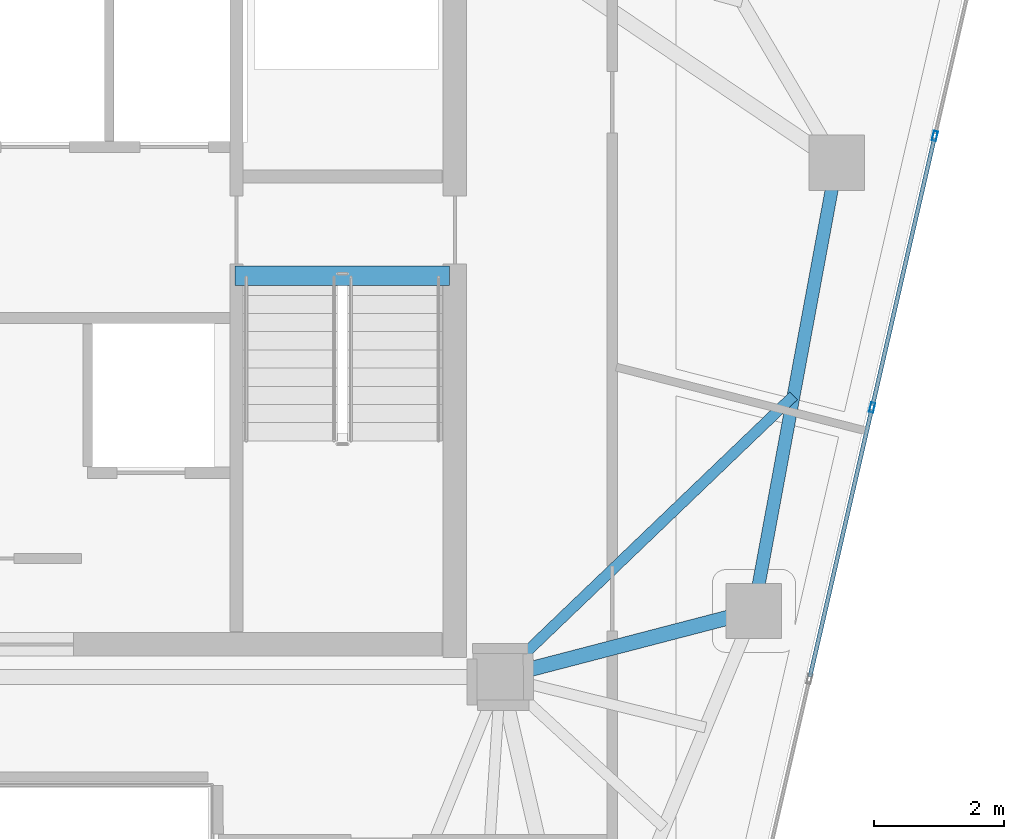
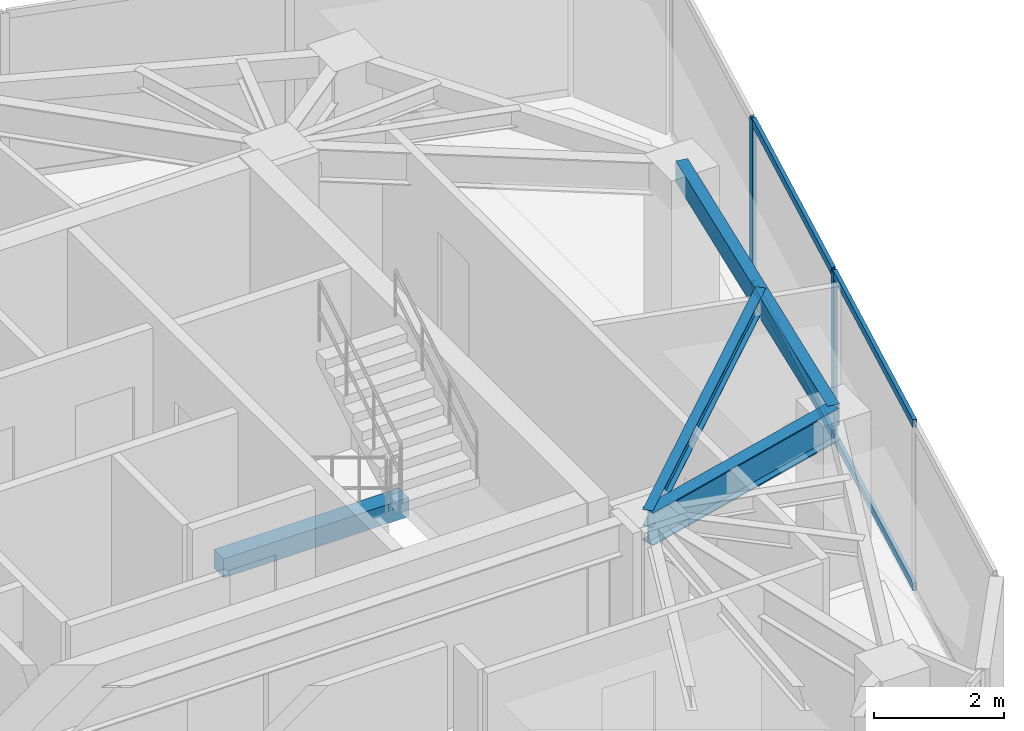
# One storey, part 12 of 20: 6 members, 4 beams, 1 element without a shape of its own.
"""IFC4 building model written with IfcOpenShell, lengths in metres."""

from ifc_helpers import new_model, si_unit, direction, frame, origin, origin_2d, place, context, subcontext, project, spatial, rectangle, hollow_rectangle, i_section, extrude, source, transform, mapped, material, layer, layer_set, material_profile, profile_set, type_object, type_shapes, element, aggregate, save


model = new_model("IFC4")

# Units and contexts
model_context = context("Model", 3, precision=1e-05, world=origin(), true_north=direction((0.0, 1.0)))
body_context = subcontext(model_context, "Body", "Model", "MODEL_VIEW")
ifc_project = project(units=[si_unit("LENGTHUNIT", "METRE"), si_unit("AREAUNIT", "SQUARE_METRE"), si_unit("VOLUMEUNIT", "CUBIC_METRE"), si_unit("PLANEANGLEUNIT", "RADIAN"), si_unit("MASSUNIT", "GRAM", prefix="KILO")], contexts=[model_context])

# Site, building, storey
site_placement = place(None, origin())
site = spatial("IfcSite", under=ifc_project, at=site_placement, CompositionType="ELEMENT")
building_placement = place(site_placement, origin())
building = spatial("IfcBuilding", under=site, at=building_placement, Name="Talar Marvaseh", CompositionType="ELEMENT")
storey_placement = place(building_placement, frame((0.0, 0.0, 247.60009765625)))
storey = spatial("IfcBuildingStorey", under=building, at=storey_placement, Name="L65", CompositionType="ELEMENT", Elevation=247.60009765625)

# Beams
ifc_material_1 = material(Name="Concrete C40/50", Category="concrete")
ifc_material_profile_1 = material_profile(ifc_material_1, rectangle(XDim=0.300048828125, YDim=0.360107421875, at=origin_2d()), Name="RC300x360")
ifc_profile_set_1 = profile_set([ifc_material_profile_1], Name="Concrete C40/50")
beam_type_1 = type_object("IfcBeamType", Name="Concrete Stair Landing Trimmer Beam RC300x360", PredefinedType="SPANDREL", material=ifc_profile_set_1)
beam_1_placement = place(storey_placement, frame((29.219970703125, 31.669921875, -0.18017578125), z_axis=(1.0, 0.0, 0.0), x_axis=(0.0, 1.0, 0.0)))
element("IfcBeam", 1, at=beam_1_placement, inside=storey, type_object=beam_type_1, Name="L65 ST-2 Stair Nosing Trimmer Beam", PredefinedType="SPANDREL", context=body_context, shape_type="SweptSolid", body=[
    extrude(rectangle(XDim=0.300048828125, YDim=0.360107421875, at=origin_2d()), origin(), (0.0, 0.0, 1.0), 3.300048828125),
])
ifc_material_2 = material(Name="Steel S355", Category="steel")
ifc_material_profile_2 = material_profile(ifc_material_2, hollow_rectangle(XDim=0.199951171875, YDim=0.39990234375, WallThickness=0.013916015625, at=origin_2d()), Name="RHS400x200x14")
ifc_profile_set_2 = profile_set([ifc_material_profile_2], Name="Steel S355")
beam_type_2 = type_object("IfcBeamType", Name="Zone 3 Perimeter Spandrel Beam RHS400x200x14", PredefinedType="SPANDREL", material=ifc_profile_set_2)
beam_2_placement = place(storey_placement, frame((38.470947265625, 33.406005859375, 2.93994140625), z_axis=(-0.181759950929, -0.983342931148, 0.0), x_axis=(0.983342931148, -0.181759950929, 0.0)))
element("IfcBeam", 2, at=beam_2_placement, inside=storey, type_object=beam_type_2, Name="L65 Zone 3 Perimeter Spandrel Beam RHS400x200x14", PredefinedType="SPANDREL", context=body_context, shape_type="SweptSolid", body=[
    extrude(hollow_rectangle(XDim=0.199951171875, YDim=0.39990234375, WallThickness=0.013916015625, at=origin_2d()), origin(), (0.0, 0.0, 1.0), 7.0087890625),
])
ifc_material_profile_3 = material_profile(ifc_material_2, i_section(OverallWidth=0.166015625, OverallDepth=0.31298828125, WebThickness=0.006591796875, FlangeThickness=0.01123046875, at=origin_2d()), Name="W310x45")
ifc_profile_set_3 = profile_set([ifc_material_profile_3], Name="Steel S355")
beam_type_3 = type_object("IfcBeamType", Name="Zone 3 Secondary Floor Joist W310x45", PredefinedType="JOIST", material=ifc_profile_set_3)
beam_3_placement = place(storey_placement, frame((37.80859375, 29.822265625, 2.9833984375), z_axis=(-0.721862081493, -0.692036946486, 0.0), x_axis=(0.692036946486, -0.721862081493, 0.0)))
element("IfcBeam", 3, at=beam_3_placement, inside=storey, type_object=beam_type_3, Name="L65 Zone 3 Secondary Floor Joist W310x45", PredefinedType="JOIST", context=body_context, shape_type="SweptSolid", body=[
    extrude(i_section(OverallWidth=0.166015625, OverallDepth=0.31298828125, WebThickness=0.006591796875, FlangeThickness=0.01123046875, at=origin_2d()), origin(), (0.0, 0.0, 1.0), 6.24560546875),
])
ifc_material_profile_4 = material_profile(ifc_material_2, i_section(OverallWidth=0.22998046875, OverallDepth=0.616943359375, WebThickness=0.01318359375, FlangeThickness=0.022216796875, at=origin_2d()), Name="W610x140")
ifc_profile_set_4 = profile_set([ifc_material_profile_4], Name="Steel S355")
beam_type_4 = type_object("IfcBeamType", Name="Zone 4 Radial Floor Girder W610x140", PredefinedType="BEAM", material=ifc_profile_set_4)
beam_4_placement = place(storey_placement, frame((37.197021484375, 26.513916015625, 2.831298828125), z_axis=(-0.967779967746, -0.251797406719, 0.0), x_axis=(0.251797406719, -0.967779967746, 0.0)))
element("IfcBeam", 4, at=beam_4_placement, inside=storey, type_object=beam_type_4, Name="L65 Zone 4 Radial Floor Girder W610x140", PredefinedType="BEAM", context=body_context, shape_type="SweptSolid", body=[
    extrude(i_section(OverallWidth=0.22998046875, OverallDepth=0.616943359375, WebThickness=0.01318359375, FlangeThickness=0.022216796875, at=origin_2d()), origin(), (0.0, 0.0, 1.0), 4.026611328125),
])

# Curtain wall, members
ifc_material_3 = material(Name="Architectural Aluminium", Category="aluminium")
ifc_layer = layer(ifc_material_3, 0.179931640625)
ifc_layer_set = layer_set([ifc_layer], Name="Architectural Aluminium")
curtain_wall_type = type_object("IfcCurtainWallType", Name="Unitised High-Wind Sky Curtain Wall Z4", PredefinedType="NOTDEFINED", material=ifc_layer_set)
curtain_wall_placement = place(storey_placement, origin())
curtain_wall = element("IfcCurtainWall", 5, at=curtain_wall_placement, inside=storey, type_object=curtain_wall_type, Name="L65 Unitised High-Wind Sky Curtain Wall Z4", PredefinedType="NOTDEFINED")
ifc_material_profile_5 = material_profile(ifc_material_3, hollow_rectangle(XDim=0.06494140625, YDim=0.14990234375, WallThickness=0.00390625, at=origin_2d()), Name="RHS150x65x4")
ifc_profile_set_5 = profile_set([ifc_material_profile_5], Name="Architectural Aluminium")
member_type_1 = type_object("IfcMemberType", Name="Unitised Curtain Wall Slim Mullion RHS150x65x4", PredefinedType="MULLION", material=ifc_profile_set_5)
shared_shape_1 = source(origin(), body_context, "Body", "SweptSolid", [
    extrude(hollow_rectangle(XDim=0.06494140625, YDim=0.14990234375, WallThickness=0.00390625, at=origin_2d()), origin(), (0.0, 0.0, 1.0), 3.139892578125),
])
type_shapes(member_type_1, [shared_shape_1])
member_1_placement = place(storey_placement, frame((39.9814453125, 33.820556640625, 0.0), z_axis=(0.0, 0.0, 1.0), x_axis=(0.974334936397, -0.225103157943, 0.0)))
member_1 = element("IfcMember", 6, at=member_1_placement, type_object=member_type_1, Name="CW-Z4 mullion 2", PredefinedType="MULLION", context=body_context, shape_type="MappedRepresentation", body=[
    mapped(shared_shape_1, transform((0.0, 0.0, 0.0), x_axis=(1.0, 0.0, 0.0), y_axis=(0.0, 1.0, 0.0), z_axis=(0.0, 0.0, 1.0), scale=1.0)),
])
member_2_placement = place(storey_placement, frame((39.0166015625, 29.644287109375, 0.0), z_axis=(0.0, 0.0, 1.0), x_axis=(0.974334936397, -0.225103157943, 0.0)))
member_2 = element("IfcMember", 7, at=member_2_placement, type_object=member_type_1, Name="CW-Z4 mullion 3", PredefinedType="MULLION", context=body_context, shape_type="MappedRepresentation", body=[
    mapped(shared_shape_1, transform((0.0, 0.0, 0.0), x_axis=(1.0, 0.0, 0.0), y_axis=(0.0, 1.0, 0.0), z_axis=(0.0, 0.0, 1.0), scale=1.0)),
])
ifc_material_profile_6 = material_profile(ifc_material_3, hollow_rectangle(XDim=0.06494140625, YDim=0.14990234375, WallThickness=0.00390625, at=origin_2d()), Name="RHS150x65x4")
ifc_profile_set_6 = profile_set([ifc_material_profile_6], Name="Architectural Aluminium")
member_type_2 = type_object("IfcMemberType", Name="Unitised Curtain Wall Slim Transom RHS150x65x4", PredefinedType="USERDEFINED", material=ifc_profile_set_6)
shared_shape_2 = source(origin(), body_context, "Body", "SweptSolid", [
    extrude(hollow_rectangle(XDim=0.06494140625, YDim=0.14990234375, WallThickness=0.00390625, at=origin_2d()), origin(), (0.0, 0.0, 1.0), 4.22119140625),
])
type_shapes(member_type_2, [shared_shape_2])
member_3_placement = place(storey_placement, frame((39.97412109375, 33.788818359375, 0.032470703125), z_axis=(-0.225104497673, -0.974334626875, 0.0), x_axis=(0.974334626875, -0.225104497673, 0.0)))
member_3 = element("IfcMember", 8, at=member_3_placement, type_object=member_type_2, Name="CW-Z4 transom 2.1", ObjectType="TRANSOM", PredefinedType="USERDEFINED", context=body_context, shape_type="MappedRepresentation", body=[
    mapped(shared_shape_2, transform((0.0, 0.0, 0.0), x_axis=(1.0, 0.0, 0.0), y_axis=(0.0, 1.0, 0.0), z_axis=(0.0, 0.0, 1.0), scale=1.0)),
])
member_4_placement = place(storey_placement, frame((39.97412109375, 33.788818359375, 3.107421875), z_axis=(-0.225104497673, -0.974334626875, 0.0), x_axis=(0.974334626875, -0.225104497673, 0.0)))
member_4 = element("IfcMember", 9, at=member_4_placement, type_object=member_type_2, Name="CW-Z4 transom 2.2", ObjectType="TRANSOM", PredefinedType="USERDEFINED", context=body_context, shape_type="MappedRepresentation", body=[
    mapped(shared_shape_2, transform((0.0, 0.0, 0.0), x_axis=(1.0, 0.0, 0.0), y_axis=(0.0, 1.0, 0.0), z_axis=(0.0, 0.0, 1.0), scale=1.0)),
])
member_5_placement = place(storey_placement, frame((39.00927734375, 29.612548828125, 0.032470703125), z_axis=(-0.225104497673, -0.974334626875, 0.0), x_axis=(0.974334626875, -0.225104497673, 0.0)))
member_5 = element("IfcMember", 10, at=member_5_placement, type_object=member_type_2, Name="CW-Z4 transom 3.1", ObjectType="TRANSOM", PredefinedType="USERDEFINED", context=body_context, shape_type="MappedRepresentation", body=[
    mapped(shared_shape_2, transform((0.0, 0.0, 0.0), x_axis=(1.0, 0.0, 0.0), y_axis=(0.0, 1.0, 0.0), z_axis=(0.0, 0.0, 1.0), scale=1.0)),
])
member_6_placement = place(storey_placement, frame((39.00927734375, 29.612548828125, 3.107421875), z_axis=(-0.225104497673, -0.974334626875, 0.0), x_axis=(0.974334626875, -0.225104497673, 0.0)))
member_6 = element("IfcMember", 11, at=member_6_placement, type_object=member_type_2, Name="CW-Z4 transom 3.2", ObjectType="TRANSOM", PredefinedType="USERDEFINED", context=body_context, shape_type="MappedRepresentation", body=[
    mapped(shared_shape_2, transform((0.0, 0.0, 0.0), x_axis=(1.0, 0.0, 0.0), y_axis=(0.0, 1.0, 0.0), z_axis=(0.0, 0.0, 1.0), scale=1.0)),
])
aggregate(curtain_wall, [member_1, member_2, member_3, member_4, member_5, member_6])

save(model, "model.ifc")
